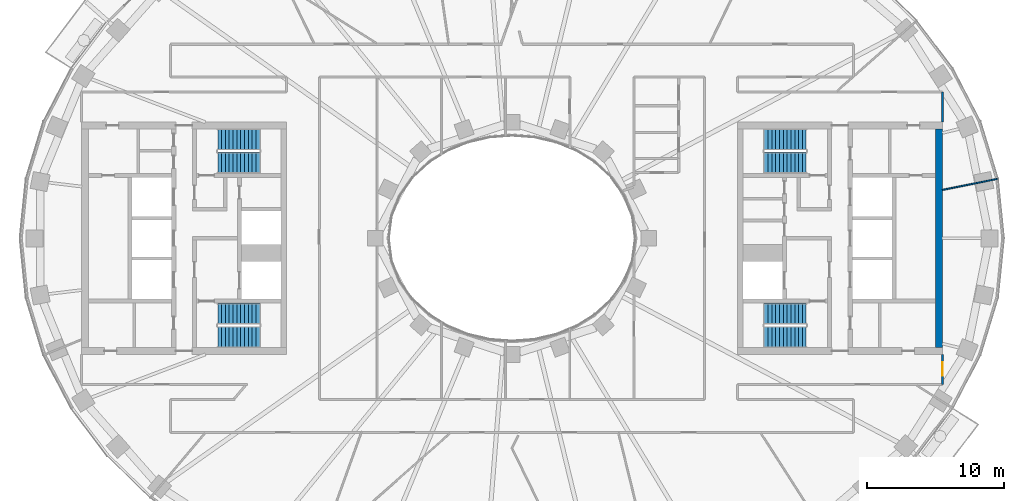
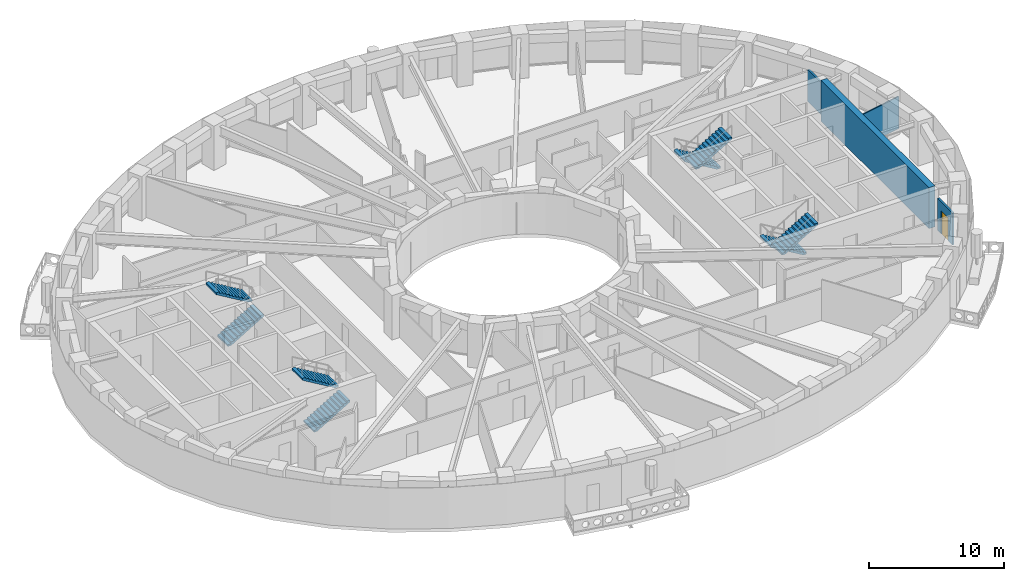
# One storey, part 7 of 16: 8 stair flights, 4 walls, 1 door, 1 opening, 4 elements without a shape of their own.
"""IFC4 building model written with IfcOpenShell, lengths in metres."""

from ifc_helpers import new_model, si_unit, direction, frame, frame_2d, origin, place, context, subcontext, project, spatial, polyline, rectangle, outline, extrude, material, layer, layer_set, type_object, element, fill, aggregate, save


model = new_model("IFC4")

# Units and contexts
model_context = context("Model", 3, precision=1e-05, world=origin(), true_north=direction((0.0, 1.0)))
body_context = subcontext(model_context, "Body", "Model", "MODEL_VIEW")
ifc_project = project(units=[si_unit("LENGTHUNIT", "METRE"), si_unit("AREAUNIT", "SQUARE_METRE"), si_unit("VOLUMEUNIT", "CUBIC_METRE"), si_unit("PLANEANGLEUNIT", "RADIAN"), si_unit("MASSUNIT", "GRAM", prefix="KILO")], contexts=[model_context])

# Site, building, storey
site_placement = place(None, origin())
site = spatial("IfcSite", under=ifc_project, at=site_placement, CompositionType="ELEMENT")
building_placement = place(site_placement, origin())
building = spatial("IfcBuilding", under=site, at=building_placement, Name="Noorbagh Ring Tower", CompositionType="ELEMENT")
storey_placement = place(building_placement, frame((0.0, 0.0, 124.0)))
storey = spatial("IfcBuildingStorey", under=building, at=storey_placement, Name="L28", CompositionType="ELEMENT", Elevation=124.0)

# Wall
ifc_material_1 = material(Name="Concrete C70/85", Category="concrete")
ifc_layer_1 = layer(ifc_material_1, 0.5)
ifc_layer_set_1 = layer_set([ifc_layer_1], Name="Concrete C70/85")
wall_type_1 = type_object("IfcWallType", Name="CORE-WALL-500-C70-85-EI240", PredefinedType="SHEAR", material=ifc_layer_set_1)
wall_1_placement = place(storey_placement, frame((31.25, -8.0, 0.0), z_axis=(0.0, 0.0, 1.0), x_axis=(0.0, 1.0, 0.0)))
element("IfcWall", 1, at=wall_1_placement, inside=storey, type_object=wall_type_1, Name="Core wall E", PredefinedType="SHEAR", context=body_context, shape_type="SweptSolid", body=[
    extrude(rectangle(XDim=16.0, YDim=0.5, at=frame_2d((8.0, 0.0))), origin(), (0.0, 0.0, 1.0), 3.699951171875),
])

# Wall, opening, door
ifc_material_2 = material(Name="Gypsum board on steel studs", Category="steel")
ifc_layer_2 = layer(ifc_material_2, 0.14990234375)
ifc_layer_set_2 = layer_set([ifc_layer_2], Name="Gypsum board on steel studs")
wall_type_2 = type_object("IfcWallType", Name="CORRIDOR PARTITION 150 EI 30", PredefinedType="PARTITIONING", material=ifc_layer_set_2)
wall_2_placement = place(storey_placement, frame((31.5, -10.699951171875, 0.0), z_axis=(0.0, 0.0, 1.0), x_axis=(0.0, 1.0, 0.0)))
wall_2 = element("IfcWall", 2, at=wall_2_placement, inside=storey, type_object=wall_type_2, Name="L28/wall/P67", PredefinedType="PARTITIONING", context=body_context, shape_type="SweptSolid", body=[
    extrude(rectangle(XDim=2.199951171875, YDim=0.14990234375, at=frame_2d((1.10009765625, 0.0))), origin(), (0.0, 0.0, 1.0), 2.89990234375),
])
opening_placement = place(wall_2_placement, frame((0.64990234375, 0.0, 0.0)))
opening = element("IfcOpeningElement", 3, at=opening_placement, cuts=wall_2, Name="Opening D1", PredefinedType="OPENING", context=body_context, shape_type="SweptSolid", body=[
    extrude(rectangle(XDim=1.0, YDim=2.10009765625, at=frame_2d((0.5, 1.050048828125))), frame((0.0, 0.0849609375, 0.0), z_axis=(0.0, -1.0, 0.0), x_axis=(1.0, 0.0, 0.0)), (0.0, 0.0, 1.0), 0.169921875),
])
ifc_material_3 = material(Name="Timber, painted", Category="wood")
door_type = type_object("IfcDoorType", Name="DOOR 1000 X 2100 FD30", OperationType="SINGLE_SWING_LEFT", PredefinedType="DOOR", material=ifc_material_3)
door_placement = place(opening_placement, origin())
door = element("IfcDoor", 4, at=door_placement, inside=storey, type_object=door_type, Name="L28-D21", OperationType="SINGLE_SWING_LEFT", OverallHeight=2.10009765625, OverallWidth=1.0, PredefinedType="DOOR", context=body_context, shape_type="SweptSolid", body=[
    extrude(rectangle(XDim=1.0, YDim=2.10009765625, at=frame_2d((0.5, 1.050048828125))), frame((0.0, 0.02490234375, 0.0), z_axis=(0.0, -1.0, 0.0), x_axis=(1.0, 0.0, 0.0)), (0.0, 0.0, 1.0), 0.050048828125),
])
fill(opening, door)

# Walls
wall_3_placement = place(storey_placement, frame((31.5, 8.5, 0.0), z_axis=(0.0, 0.0, 1.0), x_axis=(0.0, 1.0, 0.0)))
element("IfcWall", 5, at=wall_3_placement, inside=storey, type_object=wall_type_2, Name="L28/wall/P69", PredefinedType="PARTITIONING", context=body_context, shape_type="SweptSolid", body=[
    extrude(rectangle(XDim=2.199951171875, YDim=0.14990234375, at=frame_2d((1.10009765625, 0.0))), origin(), (0.0, 0.0, 1.0), 2.89990234375),
])
ifc_material_4 = material(Name="Gypsum board on steel studs", Category="steel")
ifc_layer_3 = layer(ifc_material_4, 0.10009765625)
ifc_layer_set_3 = layer_set([ifc_layer_3], Name="Gypsum board on steel studs")
wall_type_3 = type_object("IfcWallType", Name="PARTITION 100 GYPSUM", PredefinedType="PARTITIONING", material=ifc_layer_set_3)
wall_4_placement = place(storey_placement, frame((31.5, 3.5419921875, 0.0), z_axis=(0.0, 0.0, 1.0), x_axis=(0.980357474535, 0.197228857227, 0.0)))
element("IfcWall", 6, at=wall_4_placement, inside=storey, type_object=wall_type_3, Name="L28/wall/P68", PredefinedType="PARTITIONING", context=body_context, shape_type="SweptSolid", body=[
    extrude(rectangle(XDim=4.09228515625, YDim=0.10009765625, at=frame_2d((2.046142578125, 0.0))), origin(), (0.0, 0.0, 1.0), 2.89990234375),
])

# Stair, stair flights
ifc_material_5 = material(Name="Concrete C40/50", Category="concrete")
stair_type = type_object("IfcStairType", Name="CORE-STAIR", PredefinedType="HALF_TURN_STAIR", material=ifc_material_5)
stair_1_placement = place(storey_placement, origin())
stair_1 = element("IfcStair", 7, at=stair_1_placement, inside=storey, type_object=stair_type, Name="L28 Exit stair ST1", PredefinedType="HALF_TURN_STAIR")
ifc_material_6 = material(Name="Concrete C40/50", Category="concrete")
stair_flight_type = type_object("IfcStairFlightType", Name="CORE-STAIR-FLIGHT", PredefinedType="STRAIGHT", material=ifc_material_6)
stair_flight_1_placement = place(storey_placement, frame((-21.530029296875, 5.52490234375, 0.0), z_axis=(0.0, 0.0, 1.0), x_axis=(1.0, 0.0, 0.0)))
stair_flight_1 = element("IfcStairFlight", 8, at=stair_flight_1_placement, type_object=stair_flight_type, Name="ST1 flight 1", NumberOfRisers=12, NumberOfTreads=11, PredefinedType="STRAIGHT", RiserHeight=0.166666667, TreadLength=0.28, context=body_context, shape_type="SweptSolid", body=[
    extrude(outline(polyline([(0.0, 0.0), (0.0, 0.166748046875), (0.280029296875, 0.166748046875), (0.280029296875, 0.333251953125), (0.56005859375, 0.333251953125), (0.56005859375, 0.5), (0.840087890625, 0.5), (0.840087890625, 0.666748046875), (1.1201171875, 0.666748046875), (1.1201171875, 0.833251953125), (1.39990234375, 0.833251953125), (1.39990234375, 1.0), (1.679931640625, 1.0), (1.679931640625, 1.166748046875), (1.9599609375, 1.166748046875), (1.9599609375, 1.333251953125), (2.239990234375, 1.333251953125), (2.239990234375, 1.5), (2.52001953125, 1.5), (2.52001953125, 1.666748046875), (2.800048828125, 1.666748046875), (2.800048828125, 1.833251953125), (3.080078125, 1.833251953125), (3.080078125, 2.0), (3.080078125, 1.658935546875), (0.29296875, 0.0), (0.0, 0.0)])), frame((0.0, 0.77490234375, 0.0), z_axis=(0.0, -1.0, 0.0), x_axis=(1.0, 0.0, 0.0)), (0.0, 0.0, 1.0), 1.550048828125),
])
stair_flight_2_placement = place(storey_placement, frame((-18.449951171875, 7.22509765625, 2.0), z_axis=(0.0, 0.0, 1.0), x_axis=(-1.0, 0.0, 0.0)))
stair_flight_2 = element("IfcStairFlight", 9, at=stair_flight_2_placement, type_object=stair_flight_type, Name="ST1 flight 2", NumberOfRisers=12, NumberOfTreads=11, PredefinedType="STRAIGHT", RiserHeight=0.166666667, TreadLength=0.28, context=body_context, shape_type="SweptSolid", body=[
    extrude(outline(polyline([(0.0, 0.0), (0.0, 0.166748046875), (0.280029296875, 0.166748046875), (0.280029296875, 0.333251953125), (0.56005859375, 0.333251953125), (0.56005859375, 0.5), (0.840087890625, 0.5), (0.840087890625, 0.666748046875), (1.1201171875, 0.666748046875), (1.1201171875, 0.833251953125), (1.39990234375, 0.833251953125), (1.39990234375, 1.0), (1.679931640625, 1.0), (1.679931640625, 1.166748046875), (1.9599609375, 1.166748046875), (1.9599609375, 1.333251953125), (2.239990234375, 1.333251953125), (2.239990234375, 1.5), (2.52001953125, 1.5), (2.52001953125, 1.666748046875), (2.800048828125, 1.666748046875), (2.800048828125, 1.833251953125), (3.080078125, 1.833251953125), (3.080078125, 2.0), (3.080078125, 1.658935546875), (0.29296875, 0.0), (0.0, 0.0)])), frame((0.0, 0.77490234375, 0.0), z_axis=(0.0, -1.0, 0.0), x_axis=(1.0, 0.0, 0.0)), (0.0, 0.0, 1.0), 1.550048828125),
])
aggregate(stair_1, [stair_flight_1, stair_flight_2])

stair_2_placement = place(storey_placement, origin())
stair_2 = element("IfcStair", 10, at=stair_2_placement, inside=storey, type_object=stair_type, Name="L28 Exit stair ST2", PredefinedType="HALF_TURN_STAIR")
stair_flight_3_placement = place(storey_placement, frame((-21.530029296875, -7.22509765625, 0.0), z_axis=(0.0, 0.0, 1.0), x_axis=(1.0, 0.0, 0.0)))
stair_flight_3 = element("IfcStairFlight", 11, at=stair_flight_3_placement, type_object=stair_flight_type, Name="ST2 flight 1", NumberOfRisers=12, NumberOfTreads=11, PredefinedType="STRAIGHT", RiserHeight=0.166666667, TreadLength=0.28, context=body_context, shape_type="SweptSolid", body=[
    extrude(outline(polyline([(0.0, 0.0), (0.0, 0.166748046875), (0.280029296875, 0.166748046875), (0.280029296875, 0.333251953125), (0.56005859375, 0.333251953125), (0.56005859375, 0.5), (0.840087890625, 0.5), (0.840087890625, 0.666748046875), (1.1201171875, 0.666748046875), (1.1201171875, 0.833251953125), (1.39990234375, 0.833251953125), (1.39990234375, 1.0), (1.679931640625, 1.0), (1.679931640625, 1.166748046875), (1.9599609375, 1.166748046875), (1.9599609375, 1.333251953125), (2.239990234375, 1.333251953125), (2.239990234375, 1.5), (2.52001953125, 1.5), (2.52001953125, 1.666748046875), (2.800048828125, 1.666748046875), (2.800048828125, 1.833251953125), (3.080078125, 1.833251953125), (3.080078125, 2.0), (3.080078125, 1.658935546875), (0.29296875, 0.0), (0.0, 0.0)])), frame((0.0, 0.77490234375, 0.0), z_axis=(0.0, -1.0, 0.0), x_axis=(1.0, 0.0, 0.0)), (0.0, 0.0, 1.0), 1.550048828125),
])
stair_flight_4_placement = place(storey_placement, frame((-18.449951171875, -5.52490234375, 2.0), z_axis=(0.0, 0.0, 1.0), x_axis=(-1.0, 0.0, 0.0)))
stair_flight_4 = element("IfcStairFlight", 12, at=stair_flight_4_placement, type_object=stair_flight_type, Name="ST2 flight 2", NumberOfRisers=12, NumberOfTreads=11, PredefinedType="STRAIGHT", RiserHeight=0.166666667, TreadLength=0.28, context=body_context, shape_type="SweptSolid", body=[
    extrude(outline(polyline([(0.0, 0.0), (0.0, 0.166748046875), (0.280029296875, 0.166748046875), (0.280029296875, 0.333251953125), (0.56005859375, 0.333251953125), (0.56005859375, 0.5), (0.840087890625, 0.5), (0.840087890625, 0.666748046875), (1.1201171875, 0.666748046875), (1.1201171875, 0.833251953125), (1.39990234375, 0.833251953125), (1.39990234375, 1.0), (1.679931640625, 1.0), (1.679931640625, 1.166748046875), (1.9599609375, 1.166748046875), (1.9599609375, 1.333251953125), (2.239990234375, 1.333251953125), (2.239990234375, 1.5), (2.52001953125, 1.5), (2.52001953125, 1.666748046875), (2.800048828125, 1.666748046875), (2.800048828125, 1.833251953125), (3.080078125, 1.833251953125), (3.080078125, 2.0), (3.080078125, 1.658935546875), (0.29296875, 0.0), (0.0, 0.0)])), frame((0.0, 0.77490234375, 0.0), z_axis=(0.0, -1.0, 0.0), x_axis=(1.0, 0.0, 0.0)), (0.0, 0.0, 1.0), 1.550048828125),
])
aggregate(stair_2, [stair_flight_3, stair_flight_4])

stair_3_placement = place(storey_placement, origin())
stair_3 = element("IfcStair", 13, at=stair_3_placement, inside=storey, type_object=stair_type, Name="L28 Exit stair ST3", PredefinedType="HALF_TURN_STAIR")
stair_flight_5_placement = place(storey_placement, frame((21.530029296875, 7.22509765625, 0.0), z_axis=(0.0, 0.0, 1.0), x_axis=(-1.0, 0.0, 0.0)))
stair_flight_5 = element("IfcStairFlight", 14, at=stair_flight_5_placement, type_object=stair_flight_type, Name="ST3 flight 1", NumberOfRisers=12, NumberOfTreads=11, PredefinedType="STRAIGHT", RiserHeight=0.166666667, TreadLength=0.28, context=body_context, shape_type="SweptSolid", body=[
    extrude(outline(polyline([(0.0, 0.0), (0.0, 0.166748046875), (0.280029296875, 0.166748046875), (0.280029296875, 0.333251953125), (0.56005859375, 0.333251953125), (0.56005859375, 0.5), (0.840087890625, 0.5), (0.840087890625, 0.666748046875), (1.1201171875, 0.666748046875), (1.1201171875, 0.833251953125), (1.39990234375, 0.833251953125), (1.39990234375, 1.0), (1.679931640625, 1.0), (1.679931640625, 1.166748046875), (1.9599609375, 1.166748046875), (1.9599609375, 1.333251953125), (2.239990234375, 1.333251953125), (2.239990234375, 1.5), (2.52001953125, 1.5), (2.52001953125, 1.666748046875), (2.800048828125, 1.666748046875), (2.800048828125, 1.833251953125), (3.080078125, 1.833251953125), (3.080078125, 2.0), (3.080078125, 1.658935546875), (0.29296875, 0.0), (0.0, 0.0)])), frame((0.0, 0.77490234375, 0.0), z_axis=(0.0, -1.0, 0.0), x_axis=(1.0, 0.0, 0.0)), (0.0, 0.0, 1.0), 1.550048828125),
])
stair_flight_6_placement = place(storey_placement, frame((18.449951171875, 5.52490234375, 2.0), z_axis=(0.0, 0.0, 1.0), x_axis=(1.0, 0.0, 0.0)))
stair_flight_6 = element("IfcStairFlight", 15, at=stair_flight_6_placement, type_object=stair_flight_type, Name="ST3 flight 2", NumberOfRisers=12, NumberOfTreads=11, PredefinedType="STRAIGHT", RiserHeight=0.166666667, TreadLength=0.28, context=body_context, shape_type="SweptSolid", body=[
    extrude(outline(polyline([(0.0, 0.0), (0.0, 0.166748046875), (0.280029296875, 0.166748046875), (0.280029296875, 0.333251953125), (0.56005859375, 0.333251953125), (0.56005859375, 0.5), (0.840087890625, 0.5), (0.840087890625, 0.666748046875), (1.1201171875, 0.666748046875), (1.1201171875, 0.833251953125), (1.39990234375, 0.833251953125), (1.39990234375, 1.0), (1.679931640625, 1.0), (1.679931640625, 1.166748046875), (1.9599609375, 1.166748046875), (1.9599609375, 1.333251953125), (2.239990234375, 1.333251953125), (2.239990234375, 1.5), (2.52001953125, 1.5), (2.52001953125, 1.666748046875), (2.800048828125, 1.666748046875), (2.800048828125, 1.833251953125), (3.080078125, 1.833251953125), (3.080078125, 2.0), (3.080078125, 1.658935546875), (0.29296875, 0.0), (0.0, 0.0)])), frame((0.0, 0.77490234375, 0.0), z_axis=(0.0, -1.0, 0.0), x_axis=(1.0, 0.0, 0.0)), (0.0, 0.0, 1.0), 1.550048828125),
])
aggregate(stair_3, [stair_flight_5, stair_flight_6])

stair_4_placement = place(storey_placement, origin())
stair_4 = element("IfcStair", 16, at=stair_4_placement, inside=storey, type_object=stair_type, Name="L28 Exit stair ST4", PredefinedType="HALF_TURN_STAIR")
stair_flight_7_placement = place(storey_placement, frame((21.530029296875, -5.52490234375, 0.0), z_axis=(0.0, 0.0, 1.0), x_axis=(-1.0, 0.0, 0.0)))
stair_flight_7 = element("IfcStairFlight", 17, at=stair_flight_7_placement, type_object=stair_flight_type, Name="ST4 flight 1", NumberOfRisers=12, NumberOfTreads=11, PredefinedType="STRAIGHT", RiserHeight=0.166666667, TreadLength=0.28, context=body_context, shape_type="SweptSolid", body=[
    extrude(outline(polyline([(0.0, 0.0), (0.0, 0.166748046875), (0.280029296875, 0.166748046875), (0.280029296875, 0.333251953125), (0.56005859375, 0.333251953125), (0.56005859375, 0.5), (0.840087890625, 0.5), (0.840087890625, 0.666748046875), (1.1201171875, 0.666748046875), (1.1201171875, 0.833251953125), (1.39990234375, 0.833251953125), (1.39990234375, 1.0), (1.679931640625, 1.0), (1.679931640625, 1.166748046875), (1.9599609375, 1.166748046875), (1.9599609375, 1.333251953125), (2.239990234375, 1.333251953125), (2.239990234375, 1.5), (2.52001953125, 1.5), (2.52001953125, 1.666748046875), (2.800048828125, 1.666748046875), (2.800048828125, 1.833251953125), (3.080078125, 1.833251953125), (3.080078125, 2.0), (3.080078125, 1.658935546875), (0.29296875, 0.0), (0.0, 0.0)])), frame((0.0, 0.77490234375, 0.0), z_axis=(0.0, -1.0, 0.0), x_axis=(1.0, 0.0, 0.0)), (0.0, 0.0, 1.0), 1.550048828125),
])
stair_flight_8_placement = place(storey_placement, frame((18.449951171875, -7.22509765625, 2.0), z_axis=(0.0, 0.0, 1.0), x_axis=(1.0, 0.0, 0.0)))
stair_flight_8 = element("IfcStairFlight", 18, at=stair_flight_8_placement, type_object=stair_flight_type, Name="ST4 flight 2", NumberOfRisers=12, NumberOfTreads=11, PredefinedType="STRAIGHT", RiserHeight=0.166666667, TreadLength=0.28, context=body_context, shape_type="SweptSolid", body=[
    extrude(outline(polyline([(0.0, 0.0), (0.0, 0.166748046875), (0.280029296875, 0.166748046875), (0.280029296875, 0.333251953125), (0.56005859375, 0.333251953125), (0.56005859375, 0.5), (0.840087890625, 0.5), (0.840087890625, 0.666748046875), (1.1201171875, 0.666748046875), (1.1201171875, 0.833251953125), (1.39990234375, 0.833251953125), (1.39990234375, 1.0), (1.679931640625, 1.0), (1.679931640625, 1.166748046875), (1.9599609375, 1.166748046875), (1.9599609375, 1.333251953125), (2.239990234375, 1.333251953125), (2.239990234375, 1.5), (2.52001953125, 1.5), (2.52001953125, 1.666748046875), (2.800048828125, 1.666748046875), (2.800048828125, 1.833251953125), (3.080078125, 1.833251953125), (3.080078125, 2.0), (3.080078125, 1.658935546875), (0.29296875, 0.0), (0.0, 0.0)])), frame((0.0, 0.77490234375, 0.0), z_axis=(0.0, -1.0, 0.0), x_axis=(1.0, 0.0, 0.0)), (0.0, 0.0, 1.0), 1.550048828125),
])
aggregate(stair_4, [stair_flight_7, stair_flight_8])

save(model, "model.ifc")
